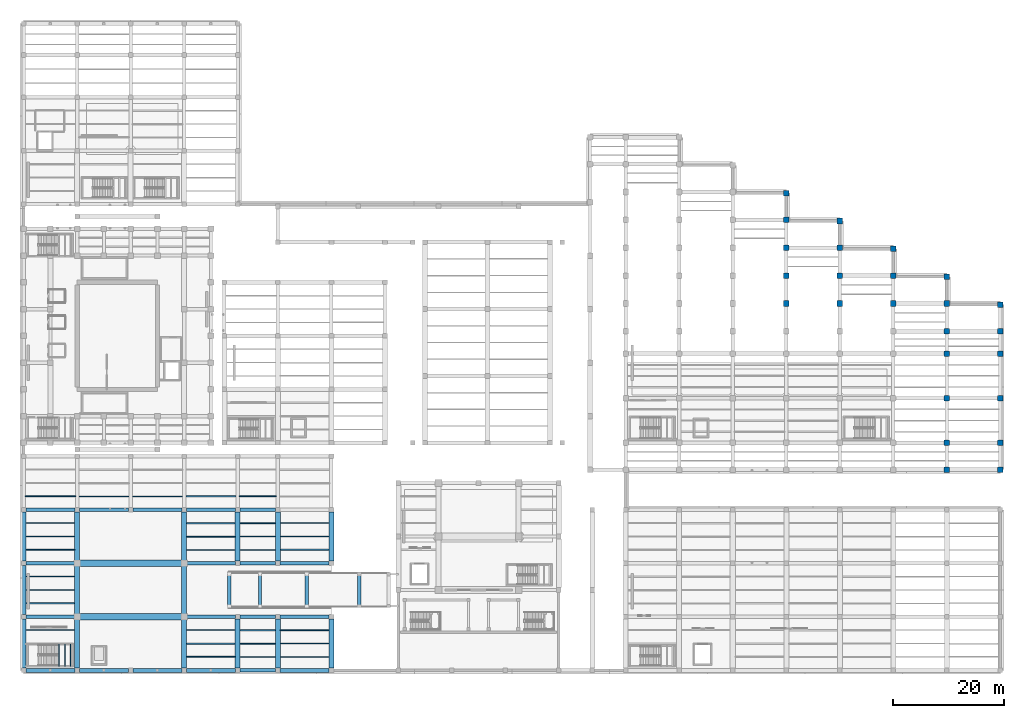
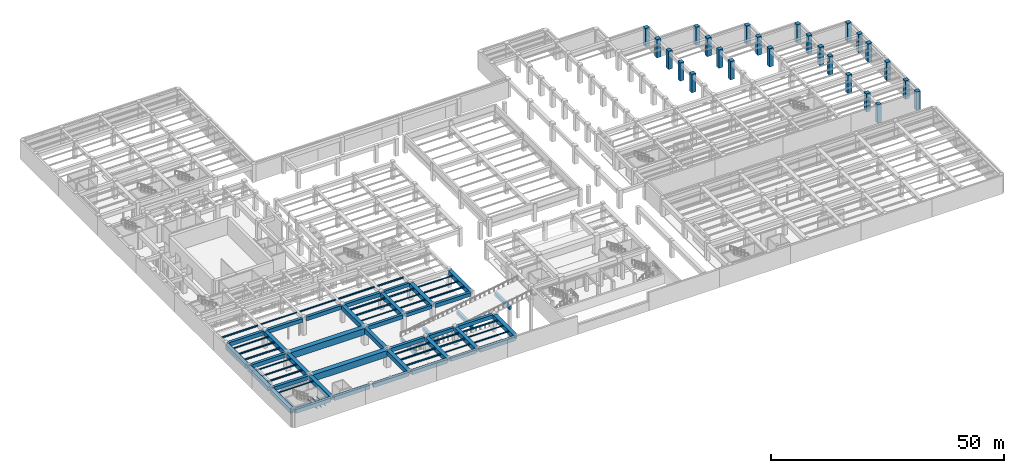
# One storey, part 14 of 45: 73 beams, 25 columns.
"""IFC4 building model written with IfcOpenShell, lengths in metres."""

from ifc_helpers import new_model, si_unit, direction, frame, origin, origin_2d, place, context, subcontext, project, spatial, rectangle, i_section, extrude, material, material_profile, profile_set, type_object, element, save


model = new_model("IFC4")

# Units and contexts
model_context = context("Model", 3, precision=1e-05, world=origin(), true_north=direction((0.0, 1.0)))
body_context = subcontext(model_context, "Body", "Model", "MODEL_VIEW")
ifc_project = project(units=[si_unit("LENGTHUNIT", "METRE"), si_unit("AREAUNIT", "SQUARE_METRE"), si_unit("VOLUMEUNIT", "CUBIC_METRE"), si_unit("PLANEANGLEUNIT", "RADIAN"), si_unit("MASSUNIT", "GRAM", prefix="KILO")], contexts=[model_context])

# Site, building, storey
site_placement = place(None, origin())
site = spatial("IfcSite", under=ifc_project, at=site_placement, CompositionType="ELEMENT")
building_placement = place(site_placement, origin())
building = spatial("IfcBuilding", under=site, at=building_placement, Name="Mavantir Sound Aquarium", CompositionType="ELEMENT")
storey_placement = place(building_placement, frame((0.0, 0.0, -4.800048828125)))
storey = spatial("IfcBuildingStorey", under=building, at=storey_placement, Name="B1", CompositionType="ELEMENT", Elevation=-4.800048828125)

# Columns
ifc_material_1 = material(Name="Concrete C40/50", Category="concrete")
ifc_material_profile_1 = material_profile(ifc_material_1, rectangle(XDim=1.0, YDim=1.0, at=origin_2d()), Name="RC 1000X1000")
ifc_profile_set_1 = profile_set([ifc_material_profile_1], Name="Concrete C40/50")
column_type_1 = type_object("IfcColumnType", Name="COL-RC1000-E", PredefinedType="COLUMN", material=ifc_profile_set_1)
for number, where, z_axis, x_axis, name in (
    (1, (175.199951171875, 36.0, 0.0), (0.0, 0.0, 1.0), (1.0, 0.0, 0.0), "B1 column RC-C10 (V4)"),
    (2, (175.199951171875, 40.800048828125, 0.0), (0.0, 0.0, 1.0), (1.0, 0.0, 0.0), "B1 column RC-C10 (V4)"),
    (3, (175.199951171875, 48.800048828125, 0.0), (0.0, 0.0, 1.0), (1.0, 0.0, 0.0), "B1 column RC-C10 (V4)"),
    (4, (175.199951171875, 56.800048828125, 0.0), (0.0, 0.0, 1.0), (1.0, 0.0, 0.0), "B1 column RC-C10 (V4)"),
    (5, (175.199951171875, 60.800048828125, 0.0), (0.0, 0.0, 1.0), (1.0, 0.0, 0.0), "B1 column RC-C10 (V4)"),
    (6, (175.199951171875, 65.60009765625, 0.0), (0.0, 0.0, 1.0), (1.0, 0.0, 0.0), "B1 column RC-C10 (V4)"),
):
    element("IfcColumn", number, at=place(storey_placement, frame(where, z_axis=z_axis, x_axis=x_axis)), inside=storey, type_object=column_type_1, Name=name, PredefinedType="COLUMN", context=body_context, shape_type="SweptSolid", body=[
        extrude(rectangle(XDim=1.0, YDim=1.0, at=origin_2d()), origin(), (0.0, 0.0, 1.0), 4.800048828125),
    ])
ifc_material_profile_2 = material_profile(ifc_material_1, rectangle(XDim=1.0, YDim=1.0, at=origin_2d()), Name="RC 1000X1000")
ifc_profile_set_2 = profile_set([ifc_material_profile_2], Name="Concrete C40/50")
column_type_2 = type_object("IfcColumnType", Name="COL-RC1000-I", PredefinedType="COLUMN", material=ifc_profile_set_2)
for number, where, z_axis, x_axis, name in (
    (7, (136.800048828125, 65.800048828125, 0.0), (0.0, 0.0, 1.0), (1.0, 0.0, 0.0), "B1 column RC-C10 (V4)"),
    (8, (136.800048828125, 70.800048828125, 0.0), (0.0, 0.0, 1.0), (1.0, 0.0, 0.0), "B1 column RC-C10 (V4)"),
    (9, (136.800048828125, 75.800048828125, 0.0), (0.0, 0.0, 1.0), (1.0, 0.0, 0.0), "B1 column RC-C10 (V4)"),
    (10, (136.800048828125, 80.800048828125, 0.0), (0.0, 0.0, 1.0), (1.0, 0.0, 0.0), "B1 column RC-C10 (V4)"),
    (11, (136.800048828125, 85.60009765625, 0.0), (0.0, 0.0, 1.0), (1.0, 0.0, 0.0), "B1 column RC-C10 (V4)"),
    (12, (146.39990234375, 65.800048828125, 0.0), (0.0, 0.0, 1.0), (1.0, 0.0, 0.0), "B1 column RC-C10 (V4)"),
    (13, (146.39990234375, 70.800048828125, 0.0), (0.0, 0.0, 1.0), (1.0, 0.0, 0.0), "B1 column RC-C10 (V4)"),
    (14, (146.39990234375, 75.800048828125, 0.0), (0.0, 0.0, 1.0), (1.0, 0.0, 0.0), "B1 column RC-C10 (V4)"),
    (15, (146.39990234375, 80.60009765625, 0.0), (0.0, 0.0, 1.0), (1.0, 0.0, 0.0), "B1 column RC-C10 (V4)"),
    (16, (156.0, 65.800048828125, 0.0), (0.0, 0.0, 1.0), (1.0, 0.0, 0.0), "B1 column RC-C10 (V4)"),
    (17, (156.0, 70.800048828125, 0.0), (0.0, 0.0, 1.0), (1.0, 0.0, 0.0), "B1 column RC-C10 (V4)"),
    (18, (156.0, 75.60009765625, 0.0), (0.0, 0.0, 1.0), (1.0, 0.0, 0.0), "B1 column RC-C10 (V4)"),
    (19, (165.60009765625, 36.0, 0.0), (0.0, 0.0, 1.0), (1.0, 0.0, 0.0), "B1 column RC-C10 (V4)"),
    (20, (165.60009765625, 40.800048828125, 0.0), (0.0, 0.0, 1.0), (1.0, 0.0, 0.0), "B1 column RC-C10 (V4)"),
    (21, (165.60009765625, 48.800048828125, 0.0), (0.0, 0.0, 1.0), (1.0, 0.0, 0.0), "B1 column RC-C10 (V4)"),
    (22, (165.60009765625, 56.800048828125, 0.0), (0.0, 0.0, 1.0), (1.0, 0.0, 0.0), "B1 column RC-C10 (V4)"),
    (23, (165.60009765625, 60.800048828125, 0.0), (0.0, 0.0, 1.0), (1.0, 0.0, 0.0), "B1 column RC-C10 (V4)"),
    (24, (165.60009765625, 65.800048828125, 0.0), (0.0, 0.0, 1.0), (1.0, 0.0, 0.0), "B1 column RC-C10 (V4)"),
    (25, (165.60009765625, 70.60009765625, 0.0), (0.0, 0.0, 1.0), (1.0, 0.0, 0.0), "B1 column RC-C10 (V4)"),
):
    element("IfcColumn", number, at=place(storey_placement, frame(where, z_axis=z_axis, x_axis=x_axis)), inside=storey, type_object=column_type_2, Name=name, PredefinedType="COLUMN", context=body_context, shape_type="SweptSolid", body=[
        extrude(rectangle(XDim=1.0, YDim=1.0, at=origin_2d()), origin(), (0.0, 0.0, 1.0), 4.800048828125),
    ])

# Beams
ifc_material_profile_3 = material_profile(ifc_material_1, rectangle(XDim=0.60009765625, YDim=0.89990234375, at=origin_2d()), Name="RC 600X900")
ifc_profile_set_3 = profile_set([ifc_material_profile_3], Name="Concrete C40/50")
beam_type_1 = type_object("IfcBeamType", Name="BM-RC600X900-E", PredefinedType="BEAM", material=ifc_profile_set_3)
beam_1_placement = place(storey_placement, frame((38.824951171875, 0.0, 4.046142578125), z_axis=(1.0, 0.0, 0.0), x_axis=(0.0, 1.0, 0.0)))
element("IfcBeam", 26, at=beam_1_placement, inside=storey, type_object=beam_type_1, Name="B1 primary beam RCB-09 539", PredefinedType="BEAM", context=body_context, shape_type="SweptSolid", body=[
    extrude(rectangle(XDim=0.60009765625, YDim=0.89990234375, at=origin_2d()), origin(), (0.0, 0.0, 1.0), 6.35009765625),
])
ifc_material_profile_4 = material_profile(ifc_material_1, rectangle(XDim=0.60009765625, YDim=0.89990234375, at=origin_2d()), Name="RC 600X900")
ifc_profile_set_4 = profile_set([ifc_material_profile_4], Name="Concrete C40/50")
beam_type_2 = type_object("IfcBeamType", Name="BM-RC600X900-I", PredefinedType="BEAM", material=ifc_profile_set_4)
for number, where, z_axis, x_axis, name in (
    (27, (38.824951171875, 9.60009765625, 4.046142578125), (1.0, 0.0, 0.0), (0.0, 1.0, 0.0), "B1 primary beam RCB-09 543"),
    (28, (38.824951171875, 19.199951171875, 4.046142578125), (1.0, 0.0, 0.0), (0.0, 1.0, 0.0), "B1 primary beam RCB-09 547"),
    (29, (38.824951171875, 28.800048828125, 4.046142578125), (1.0, 0.0, 0.0), (0.0, 1.0, 0.0), "B1 primary beam RCB-09 553"),
):
    element("IfcBeam", number, at=place(storey_placement, frame(where, z_axis=z_axis, x_axis=x_axis)), inside=storey, type_object=beam_type_2, Name=name, PredefinedType="BEAM", context=body_context, shape_type="SweptSolid", body=[
        extrude(rectangle(XDim=0.60009765625, YDim=0.89990234375, at=origin_2d()), origin(), (0.0, 0.0, 1.0), 6.35009765625),
    ])
for number, where, z_axis, x_axis, name in (
    (30, (42.39990234375, 11.300048828125, 0.19091796875), (0.0, 1.0, 0.0), (-1.0, 0.0, 0.0), "Vehicle ramp support beam 1"),
    (31, (50.800048828125, 11.300048828125, 1.591064453125), (0.0, 1.0, 0.0), (-1.0, 0.0, 0.0), "Vehicle ramp support beam 2"),
    (32, (60.199951171875, 11.300048828125, 3.157470703125), (0.0, 1.0, 0.0), (-1.0, 0.0, 0.0), "Vehicle ramp support beam 3"),
    (33, (36.89990234375, 11.300048828125, -0.725830078125), (0.0, 1.0, 0.0), (-1.0, 0.0, 0.0), "Vehicle ramp support beam 5"),
):
    element("IfcBeam", number, at=place(storey_placement, frame(where, z_axis=z_axis, x_axis=x_axis)), inside=storey, type_object=beam_type_2, Name=name, PredefinedType="BEAM", context=body_context, shape_type="SweptSolid", body=[
        extrude(rectangle(XDim=0.60009765625, YDim=0.89990234375, at=origin_2d()), origin(), (0.0, 0.0, 1.0), 6.199951171875),
    ])
ifc_material_profile_5 = material_profile(ifc_material_1, rectangle(XDim=0.699951171875, YDim=1.0, at=origin_2d()), Name="RC 700X1000")
ifc_profile_set_5 = profile_set([ifc_material_profile_5], Name="Concrete C40/50")
beam_type_3 = type_object("IfcBeamType", Name="BM-RC700X1000-E", PredefinedType="BEAM", material=ifc_profile_set_5)
for number, where, z_axis, x_axis, name in (
    (34, (0.425048828125, 0.0, 3.99609375), (1.0, 0.0, 0.0), (0.0, 1.0, 0.0), "B1 primary beam RCB-10 535"),
    (35, (10.02490234375, 0.0, 3.99609375), (1.0, 0.0, 0.0), (0.0, 1.0, 0.0), "B1 primary beam RCB-10 536"),
    (36, (19.625, 0.0, 3.99609375), (1.0, 0.0, 0.0), (0.0, 1.0, 0.0), "B1 primary beam RCB-10 537"),
    (37, (29.22509765625, 0.0, 3.99609375), (1.0, 0.0, 0.0), (0.0, 1.0, 0.0), "B1 primary beam RCB-10 538"),
    (38, (46.02490234375, 0.0, 3.99609375), (1.0, 0.0, 0.0), (0.0, 1.0, 0.0), "B1 primary beam RCB-10 540"),
):
    element("IfcBeam", number, at=place(storey_placement, frame(where, z_axis=z_axis, x_axis=x_axis)), inside=storey, type_object=beam_type_3, Name=name, PredefinedType="BEAM", context=body_context, shape_type="SweptSolid", body=[
        extrude(rectangle(XDim=0.699951171875, YDim=1.0, at=origin_2d()), origin(), (0.0, 0.0, 1.0), 8.75),
    ])
ifc_material_profile_6 = material_profile(ifc_material_1, rectangle(XDim=0.699951171875, YDim=1.0, at=origin_2d()), Name="RC 700X1000")
ifc_profile_set_6 = profile_set([ifc_material_profile_6], Name="Concrete C40/50")
beam_type_4 = type_object("IfcBeamType", Name="BM-RC700X1000-I", PredefinedType="BEAM", material=ifc_profile_set_6)
beam_2_placement = place(storey_placement, frame((0.425048828125, 9.60009765625, 3.99609375), z_axis=(1.0, 0.0, 0.0), x_axis=(0.0, 1.0, 0.0)))
element("IfcBeam", 39, at=beam_2_placement, inside=storey, type_object=beam_type_4, Name="B1 primary beam RCB-10 541", PredefinedType="BEAM", context=body_context, shape_type="SweptSolid", body=[
    extrude(rectangle(XDim=0.699951171875, YDim=1.0, at=origin_2d()), origin(), (0.0, 0.0, 1.0), 8.724853515625),
])
beam_3_placement = place(storey_placement, frame((29.25, 9.60009765625, 3.99609375), z_axis=(1.0, 0.0, 0.0), x_axis=(0.0, 1.0, 0.0)))
element("IfcBeam", 40, at=beam_3_placement, inside=storey, type_object=beam_type_4, Name="B1 primary beam RCB-10 542", PredefinedType="BEAM", context=body_context, shape_type="SweptSolid", body=[
    extrude(rectangle(XDim=0.699951171875, YDim=1.0, at=origin_2d()), origin(), (0.0, 0.0, 1.0), 8.72509765625),
])
beam_4_placement = place(storey_placement, frame((46.02490234375, 9.60009765625, 3.99609375), z_axis=(1.0, 0.0, 0.0), x_axis=(0.0, 1.0, 0.0)))
element("IfcBeam", 41, at=beam_4_placement, inside=storey, type_object=beam_type_4, Name="B1 primary beam RCB-10 544", PredefinedType="BEAM", context=body_context, shape_type="SweptSolid", body=[
    extrude(rectangle(XDim=0.699951171875, YDim=1.0, at=origin_2d()), origin(), (0.0, 0.0, 1.0), 8.75),
])
beam_5_placement = place(storey_placement, frame((0.425048828125, 19.199951171875, 3.99609375), z_axis=(1.0, 0.0, 0.0), x_axis=(0.0, 1.0, 0.0)))
element("IfcBeam", 42, at=beam_5_placement, inside=storey, type_object=beam_type_4, Name="B1 primary beam RCB-10 545", PredefinedType="BEAM", context=body_context, shape_type="SweptSolid", body=[
    extrude(rectangle(XDim=0.699951171875, YDim=1.0, at=origin_2d()), origin(), (0.0, 0.0, 1.0), 8.724853515625),
])
beam_6_placement = place(storey_placement, frame((29.25, 19.199951171875, 3.99609375), z_axis=(1.0, 0.0, 0.0), x_axis=(0.0, 1.0, 0.0)))
element("IfcBeam", 43, at=beam_6_placement, inside=storey, type_object=beam_type_4, Name="B1 primary beam RCB-10 546", PredefinedType="BEAM", context=body_context, shape_type="SweptSolid", body=[
    extrude(rectangle(XDim=0.699951171875, YDim=1.0, at=origin_2d()), origin(), (0.0, 0.0, 1.0), 8.72509765625),
])
for number, where, z_axis, x_axis, name in (
    (44, (46.02490234375, 19.199951171875, 3.99609375), (1.0, 0.0, 0.0), (0.0, 1.0, 0.0), "B1 primary beam RCB-10 548"),
    (45, (0.425048828125, 28.800048828125, 3.99609375), (1.0, 0.0, 0.0), (0.0, 1.0, 0.0), "B1 primary beam RCB-10 549"),
    (46, (10.02490234375, 28.800048828125, 3.99609375), (1.0, 0.0, 0.0), (0.0, 1.0, 0.0), "B1 primary beam RCB-10 550"),
    (47, (19.625, 28.800048828125, 3.99609375), (1.0, 0.0, 0.0), (0.0, 1.0, 0.0), "B1 primary beam RCB-10 551"),
    (48, (29.22509765625, 28.800048828125, 3.99609375), (1.0, 0.0, 0.0), (0.0, 1.0, 0.0), "B1 primary beam RCB-10 552"),
):
    element("IfcBeam", number, at=place(storey_placement, frame(where, z_axis=z_axis, x_axis=x_axis)), inside=storey, type_object=beam_type_4, Name=name, PredefinedType="BEAM", context=body_context, shape_type="SweptSolid", body=[
        extrude(rectangle(XDim=0.699951171875, YDim=1.0, at=origin_2d()), origin(), (0.0, 0.0, 1.0), 8.75),
    ])
ifc_material_profile_7 = material_profile(ifc_material_1, rectangle(XDim=0.89990234375, YDim=1.199951171875, at=origin_2d()), Name="RC 900X1200")
ifc_profile_set_7 = profile_set([ifc_material_profile_7], Name="Concrete C40/50")
beam_type_5 = type_object("IfcBeamType", Name="BM-RC900X1200-E", PredefinedType="BEAM", material=ifc_profile_set_7)
for number, where, z_axis, x_axis, name in (
    (49, (0.0, 0.425048828125, 3.89599609375), (0.0, 1.0, 0.0), (-1.0, 0.0, 0.0), "B1 primary girder RCB-12 561"),
    (50, (0.0, 10.02490234375, 3.89599609375), (0.0, 1.0, 0.0), (-1.0, 0.0, 0.0), "B1 primary girder RCB-12 562"),
    (51, (0.0, 19.625, 3.89599609375), (0.0, 1.0, 0.0), (-1.0, 0.0, 0.0), "B1 primary girder RCB-12 563"),
    (52, (55.199951171875, 0.425048828125, 3.89599609375), (0.0, 1.0, 0.0), (-1.0, 0.0, 0.0), "B1 primary girder RCB-12 580"),
    (53, (55.199951171875, 19.625, 3.89599609375), (0.0, 1.0, 0.0), (-1.0, 0.0, 0.0), "B1 primary girder RCB-12 581"),
):
    element("IfcBeam", number, at=place(storey_placement, frame(where, z_axis=z_axis, x_axis=x_axis)), inside=storey, type_object=beam_type_5, Name=name, PredefinedType="BEAM", context=body_context, shape_type="SweptSolid", body=[
        extrude(rectangle(XDim=0.89990234375, YDim=1.199951171875, at=origin_2d()), origin(), (0.0, 0.0, 1.0), 8.75),
    ])
ifc_material_profile_8 = material_profile(ifc_material_1, rectangle(XDim=0.89990234375, YDim=1.199951171875, at=origin_2d()), Name="RC 900X1200")
ifc_profile_set_8 = profile_set([ifc_material_profile_8], Name="Concrete C40/50")
beam_type_6 = type_object("IfcBeamType", Name="BM-RC900X1200-I", PredefinedType="BEAM", material=ifc_profile_set_8)
beam_7_placement = place(storey_placement, frame((9.60009765625, 0.425048828125, 3.89599609375), z_axis=(0.0, 1.0, 0.0), x_axis=(-1.0, 0.0, 0.0)))
element("IfcBeam", 54, at=beam_7_placement, inside=storey, type_object=beam_type_6, Name="B1 primary girder RCB-12 565", PredefinedType="BEAM", context=body_context, shape_type="SweptSolid", body=[
    extrude(rectangle(XDim=0.89990234375, YDim=1.199951171875, at=origin_2d()), origin(), (0.0, 0.0, 1.0), 8.724853515625),
])
beam_8_placement = place(storey_placement, frame((9.60009765625, 10.050048828125, 3.89599609375), z_axis=(0.0, 1.0, 0.0), x_axis=(-1.0, 0.0, 0.0)))
element("IfcBeam", 55, at=beam_8_placement, inside=storey, type_object=beam_type_6, Name="B1 primary girder RCB-12 566", PredefinedType="BEAM", context=body_context, shape_type="SweptSolid", body=[
    extrude(rectangle(XDim=0.89990234375, YDim=1.199951171875, at=origin_2d()), origin(), (0.0, 0.0, 1.0), 8.699951171875),
])
beam_9_placement = place(storey_placement, frame((9.60009765625, 19.64990234375, 3.89599609375), z_axis=(0.0, 1.0, 0.0), x_axis=(-1.0, 0.0, 0.0)))
element("IfcBeam", 56, at=beam_9_placement, inside=storey, type_object=beam_type_6, Name="B1 primary girder RCB-12 567", PredefinedType="BEAM", context=body_context, shape_type="SweptSolid", body=[
    extrude(rectangle(XDim=0.89990234375, YDim=1.199951171875, at=origin_2d()), origin(), (0.0, 0.0, 1.0), 8.72509765625),
])
beam_10_placement = place(storey_placement, frame((28.800048828125, 0.425048828125, 3.89599609375), z_axis=(0.0, 1.0, 0.0), x_axis=(-1.0, 0.0, 0.0)))
element("IfcBeam", 57, at=beam_10_placement, inside=storey, type_object=beam_type_6, Name="B1 primary girder RCB-12 570", PredefinedType="BEAM", context=body_context, shape_type="SweptSolid", body=[
    extrude(rectangle(XDim=0.89990234375, YDim=1.199951171875, at=origin_2d()), origin(), (0.0, 0.0, 1.0), 8.724853515625),
])
beam_11_placement = place(storey_placement, frame((28.800048828125, 10.050048828125, 3.89599609375), z_axis=(0.0, 1.0, 0.0), x_axis=(-1.0, 0.0, 0.0)))
element("IfcBeam", 58, at=beam_11_placement, inside=storey, type_object=beam_type_6, Name="B1 primary girder RCB-12 571", PredefinedType="BEAM", context=body_context, shape_type="SweptSolid", body=[
    extrude(rectangle(XDim=0.89990234375, YDim=1.199951171875, at=origin_2d()), origin(), (0.0, 0.0, 1.0), 8.699951171875),
])
beam_12_placement = place(storey_placement, frame((28.800048828125, 19.64990234375, 3.89599609375), z_axis=(0.0, 1.0, 0.0), x_axis=(-1.0, 0.0, 0.0)))
element("IfcBeam", 59, at=beam_12_placement, inside=storey, type_object=beam_type_6, Name="B1 primary girder RCB-12 572", PredefinedType="BEAM", context=body_context, shape_type="SweptSolid", body=[
    extrude(rectangle(XDim=0.89990234375, YDim=1.199951171875, at=origin_2d()), origin(), (0.0, 0.0, 1.0), 8.72509765625),
])
for number, where, z_axis, x_axis, name in (
    (60, (38.39990234375, 0.425048828125, 3.89599609375), (0.0, 1.0, 0.0), (-1.0, 0.0, 0.0), "B1 primary girder RCB-12 574"),
    (61, (38.39990234375, 19.625, 3.89599609375), (0.0, 1.0, 0.0), (-1.0, 0.0, 0.0), "B1 primary girder RCB-12 575"),
    (62, (45.60009765625, 0.425048828125, 3.89599609375), (0.0, 1.0, 0.0), (-1.0, 0.0, 0.0), "B1 primary girder RCB-12 577"),
    (63, (45.60009765625, 19.625, 3.89599609375), (0.0, 1.0, 0.0), (-1.0, 0.0, 0.0), "B1 primary girder RCB-12 578"),
):
    element("IfcBeam", number, at=place(storey_placement, frame(where, z_axis=z_axis, x_axis=x_axis)), inside=storey, type_object=beam_type_6, Name=name, PredefinedType="BEAM", context=body_context, shape_type="SweptSolid", body=[
        extrude(rectangle(XDim=0.89990234375, YDim=1.199951171875, at=origin_2d()), origin(), (0.0, 0.0, 1.0), 8.75),
    ])
ifc_material_profile_9 = material_profile(ifc_material_1, rectangle(XDim=1.199951171875, YDim=1.699951171875, at=origin_2d()), Name="RC 1200X1700")
ifc_profile_set_9 = profile_set([ifc_material_profile_9], Name="Concrete C40/50")
beam_type_7 = type_object("IfcBeamType", Name="BM-TG1700-I", PredefinedType="USERDEFINED", material=ifc_profile_set_9)
for number, where, z_axis, x_axis, name in (
    (64, (9.85009765625, 9.60009765625, 3.650146484375), (1.0, 0.0, 0.0), (0.0, 1.0, 0.0), "Transfer girder TG-1"),
    (65, (9.85009765625, 19.199951171875, 3.650146484375), (1.0, 0.0, 0.0), (0.0, 1.0, 0.0), "Transfer girder TG-2"),
):
    element("IfcBeam", number, at=place(storey_placement, frame(where, z_axis=z_axis, x_axis=x_axis)), inside=storey, type_object=beam_type_7, Name=name, ObjectType="TRANSFER GIRDER", PredefinedType="USERDEFINED", context=body_context, shape_type="SweptSolid", body=[
        extrude(rectangle(XDim=1.199951171875, YDim=1.699951171875, at=origin_2d()), origin(), (0.0, 0.0, 1.0), 18.699951171875),
    ])
ifc_material_2 = material(Name="Structural Steel ASTM A992 Gr50", Category="steel")
ifc_material_profile_10 = material_profile(ifc_material_2, i_section(OverallWidth=0.202880859375, OverallDepth=0.202880859375, WebThickness=0.007080078125, FlangeThickness=0.010986328125, FilletRadius=0.010009765625, at=origin_2d()), Name="W200X46")
ifc_profile_set_10 = profile_set([ifc_material_profile_10], Name="Structural Steel ASTM A992 Gr50")
beam_type_8 = type_object("IfcBeamType", Name="BM-W200X46-I", PredefinedType="LINTEL", material=ifc_profile_set_10)
for number, where, z_axis, x_axis, name in (
    (66, (6.35009765625, 0.72509765625, 2.095458984375), (0.0, 1.0, 0.0), (-1.0, 0.0, 0.0), "Stair ST3 landing support beam 40"),
    (67, (7.389892578125, 0.72509765625, 2.095458984375), (0.0, 1.0, 0.0), (-1.0, 0.0, 0.0), "Stair ST3 landing support beam 41"),
    (68, (8.429931640625, 0.72509765625, 2.095458984375), (0.0, 1.0, 0.0), (-1.0, 0.0, 0.0), "Stair ST3 landing support beam 42"),
):
    element("IfcBeam", number, at=place(storey_placement, frame(where, z_axis=z_axis, x_axis=x_axis)), inside=storey, type_object=beam_type_8, Name=name, PredefinedType="LINTEL", context=body_context, shape_type="SweptSolid", body=[
        extrude(i_section(OverallWidth=0.202880859375, OverallDepth=0.202880859375, WebThickness=0.007080078125, FlangeThickness=0.010986328125, FilletRadius=0.010009765625, at=origin_2d()), origin(), (0.0, 0.0, 1.0), 4.0),
    ])
ifc_material_profile_11 = material_profile(ifc_material_2, i_section(OverallWidth=0.202880859375, OverallDepth=0.251953125, WebThickness=0.008056640625, FlangeThickness=0.013427734375, FilletRadius=0.011962890625, at=origin_2d()), Name="W250X58")
ifc_profile_set_11 = profile_set([ifc_material_profile_11], Name="Structural Steel ASTM A992 Gr50")
beam_type_9 = type_object("IfcBeamType", Name="BM-W250X58-I", PredefinedType="JOIST", material=ifc_profile_set_11)
beam_13_placement = place(storey_placement, frame((0.449951171875, 7.199951171875, 4.3701171875), z_axis=(1.0, 0.0, 0.0), x_axis=(0.0, 1.0, 0.0)))
element("IfcBeam", 69, at=beam_13_placement, inside=storey, type_object=beam_type_9, Name="B1 secondary floor joist SJ-25 224", PredefinedType="JOIST", context=body_context, shape_type="SweptSolid", body=[
    extrude(i_section(OverallWidth=0.202880859375, OverallDepth=0.251953125, WebThickness=0.008056640625, FlangeThickness=0.013427734375, FilletRadius=0.011962890625, at=origin_2d()), origin(), (0.0, 0.0, 1.0), 8.699951171875),
])
beam_14_placement = place(storey_placement, frame((38.85009765625, 2.39990234375, 4.3701171875), z_axis=(1.0, 0.0, 0.0), x_axis=(0.0, 1.0, 0.0)))
element("IfcBeam", 70, at=beam_14_placement, inside=storey, type_object=beam_type_9, Name="B1 secondary floor joist SJ-25 228", PredefinedType="JOIST", context=body_context, shape_type="SweptSolid", body=[
    extrude(i_section(OverallWidth=0.202880859375, OverallDepth=0.251953125, WebThickness=0.008056640625, FlangeThickness=0.013427734375, FilletRadius=0.011962890625, at=origin_2d()), origin(), (0.0, 0.0, 1.0), 6.2998046875),
])
for number, where, z_axis, x_axis, name in (
    (71, (46.050048828125, 4.800048828125, 4.3701171875), (1.0, 0.0, 0.0), (0.0, 1.0, 0.0), "B1 secondary floor joist SJ-25 232"),
    (72, (0.449951171875, 16.800048828125, 4.3701171875), (1.0, 0.0, 0.0), (0.0, 1.0, 0.0), "B1 secondary floor joist SJ-25 236"),
    (73, (29.25, 21.60009765625, 4.3701171875), (1.0, 0.0, 0.0), (0.0, 1.0, 0.0), "B1 secondary floor joist SJ-25 240"),
):
    element("IfcBeam", number, at=place(storey_placement, frame(where, z_axis=z_axis, x_axis=x_axis)), inside=storey, type_object=beam_type_9, Name=name, PredefinedType="JOIST", context=body_context, shape_type="SweptSolid", body=[
        extrude(i_section(OverallWidth=0.202880859375, OverallDepth=0.251953125, WebThickness=0.008056640625, FlangeThickness=0.013427734375, FilletRadius=0.011962890625, at=origin_2d()), origin(), (0.0, 0.0, 1.0), 8.699951171875),
    ])
beam_15_placement = place(storey_placement, frame((38.85009765625, 24.0, 4.3701171875), z_axis=(1.0, 0.0, 0.0), x_axis=(0.0, 1.0, 0.0)))
element("IfcBeam", 74, at=beam_15_placement, inside=storey, type_object=beam_type_9, Name="B1 secondary floor joist SJ-25 244", PredefinedType="JOIST", context=body_context, shape_type="SweptSolid", body=[
    extrude(i_section(OverallWidth=0.202880859375, OverallDepth=0.251953125, WebThickness=0.008056640625, FlangeThickness=0.013427734375, FilletRadius=0.011962890625, at=origin_2d()), origin(), (0.0, 0.0, 1.0), 6.2998046875),
])
beam_16_placement = place(storey_placement, frame((46.050048828125, 26.39990234375, 4.3701171875), z_axis=(1.0, 0.0, 0.0), x_axis=(0.0, 1.0, 0.0)))
element("IfcBeam", 75, at=beam_16_placement, inside=storey, type_object=beam_type_9, Name="B1 secondary floor joist SJ-25 248", PredefinedType="JOIST", context=body_context, shape_type="SweptSolid", body=[
    extrude(i_section(OverallWidth=0.202880859375, OverallDepth=0.251953125, WebThickness=0.008056640625, FlangeThickness=0.013427734375, FilletRadius=0.011962890625, at=origin_2d()), origin(), (0.0, 0.0, 1.0), 8.699951171875),
])
beam_17_placement = place(storey_placement, frame((9.89990234375, 31.199951171875, 4.3701171875), z_axis=(1.0, 0.0, 0.0), x_axis=(0.0, 1.0, 0.0)))
element("IfcBeam", 76, at=beam_17_placement, inside=storey, type_object=beam_type_9, Name="B1 secondary floor joist SJ-25 252", PredefinedType="JOIST", context=body_context, shape_type="SweptSolid", body=[
    extrude(i_section(OverallWidth=0.202880859375, OverallDepth=0.251953125, WebThickness=0.008056640625, FlangeThickness=0.013427734375, FilletRadius=0.011962890625, at=origin_2d()), origin(), (0.0, 0.0, 1.0), 9.0),
])
ifc_material_profile_12 = material_profile(ifc_material_2, i_section(OverallWidth=0.205078125, OverallDepth=0.31005859375, WebThickness=0.009521484375, FlangeThickness=0.016357421875, FilletRadius=0.012939453125, at=origin_2d()), Name="W310X74")
ifc_profile_set_12 = profile_set([ifc_material_profile_12], Name="Structural Steel ASTM A992 Gr50")
beam_type_10 = type_object("IfcBeamType", Name="BM-W310X74-I", PredefinedType="JOIST", material=ifc_profile_set_12)
for number, where, z_axis, x_axis, name in (
    (77, (29.25, 7.199951171875, 4.341064453125), (1.0, 0.0, 0.0), (0.0, 1.0, 0.0), "B1 secondary floor joist SJ-31 227"),
    (78, (46.050048828125, 2.39990234375, 4.341064453125), (1.0, 0.0, 0.0), (0.0, 1.0, 0.0), "B1 secondary floor joist SJ-31 231"),
    (79, (0.449951171875, 14.39990234375, 4.341064453125), (1.0, 0.0, 0.0), (0.0, 1.0, 0.0), "B1 secondary floor joist SJ-31 235"),
    (80, (0.449951171875, 26.39990234375, 4.341064453125), (1.0, 0.0, 0.0), (0.0, 1.0, 0.0), "B1 secondary floor joist SJ-31 239"),
):
    element("IfcBeam", number, at=place(storey_placement, frame(where, z_axis=z_axis, x_axis=x_axis)), inside=storey, type_object=beam_type_10, Name=name, PredefinedType="JOIST", context=body_context, shape_type="SweptSolid", body=[
        extrude(i_section(OverallWidth=0.205078125, OverallDepth=0.31005859375, WebThickness=0.009521484375, FlangeThickness=0.016357421875, FilletRadius=0.012939453125, at=origin_2d()), origin(), (0.0, 0.0, 1.0), 8.699951171875),
    ])
beam_18_placement = place(storey_placement, frame((38.85009765625, 21.60009765625, 4.341064453125), z_axis=(1.0, 0.0, 0.0), x_axis=(0.0, 1.0, 0.0)))
element("IfcBeam", 81, at=beam_18_placement, inside=storey, type_object=beam_type_10, Name="B1 secondary floor joist SJ-31 243", PredefinedType="JOIST", context=body_context, shape_type="SweptSolid", body=[
    extrude(i_section(OverallWidth=0.205078125, OverallDepth=0.31005859375, WebThickness=0.009521484375, FlangeThickness=0.016357421875, FilletRadius=0.012939453125, at=origin_2d()), origin(), (0.0, 0.0, 1.0), 6.2998046875),
])
beam_19_placement = place(storey_placement, frame((46.050048828125, 24.0, 4.341064453125), z_axis=(1.0, 0.0, 0.0), x_axis=(0.0, 1.0, 0.0)))
element("IfcBeam", 82, at=beam_19_placement, inside=storey, type_object=beam_type_10, Name="B1 secondary floor joist SJ-31 247", PredefinedType="JOIST", context=body_context, shape_type="SweptSolid", body=[
    extrude(i_section(OverallWidth=0.205078125, OverallDepth=0.31005859375, WebThickness=0.009521484375, FlangeThickness=0.016357421875, FilletRadius=0.012939453125, at=origin_2d()), origin(), (0.0, 0.0, 1.0), 8.699951171875),
])
beam_20_placement = place(storey_placement, frame((19.5, 31.199951171875, 4.341064453125), z_axis=(1.0, 0.0, 0.0), x_axis=(0.0, 1.0, 0.0)))
element("IfcBeam", 83, at=beam_20_placement, inside=storey, type_object=beam_type_10, Name="B1 secondary floor joist SJ-31 255", PredefinedType="JOIST", context=body_context, shape_type="SweptSolid", body=[
    extrude(i_section(OverallWidth=0.205078125, OverallDepth=0.31005859375, WebThickness=0.009521484375, FlangeThickness=0.016357421875, FilletRadius=0.012939453125, at=origin_2d()), origin(), (0.0, 0.0, 1.0), 9.0),
])
ifc_material_profile_13 = material_profile(ifc_material_2, i_section(OverallWidth=0.25390625, OverallDepth=0.35302734375, WebThickness=0.009521484375, FlangeThickness=0.016357421875, FilletRadius=0.014892578125, at=origin_2d()), Name="W360X91")
ifc_profile_set_13 = profile_set([ifc_material_profile_13], Name="Structural Steel ASTM A992 Gr50")
beam_type_11 = type_object("IfcBeamType", Name="BM-W360X91-I", PredefinedType="JOIST", material=ifc_profile_set_13)
beam_21_placement = place(storey_placement, frame((29.25, 4.800048828125, 4.319580078125), z_axis=(1.0, 0.0, 0.0), x_axis=(0.0, 1.0, 0.0)))
element("IfcBeam", 84, at=beam_21_placement, inside=storey, type_object=beam_type_11, Name="B1 secondary floor joist SJ-36 226", PredefinedType="JOIST", context=body_context, shape_type="SweptSolid", body=[
    extrude(i_section(OverallWidth=0.25390625, OverallDepth=0.35302734375, WebThickness=0.009521484375, FlangeThickness=0.016357421875, FilletRadius=0.014892578125, at=origin_2d()), origin(), (0.0, 0.0, 1.0), 8.699951171875),
])
beam_22_placement = place(storey_placement, frame((38.85009765625, 7.199951171875, 4.319580078125), z_axis=(1.0, 0.0, 0.0), x_axis=(0.0, 1.0, 0.0)))
element("IfcBeam", 85, at=beam_22_placement, inside=storey, type_object=beam_type_11, Name="B1 secondary floor joist SJ-36 230", PredefinedType="JOIST", context=body_context, shape_type="SweptSolid", body=[
    extrude(i_section(OverallWidth=0.25390625, OverallDepth=0.35302734375, WebThickness=0.009521484375, FlangeThickness=0.016357421875, FilletRadius=0.014892578125, at=origin_2d()), origin(), (0.0, 0.0, 1.0), 6.2998046875),
])
for number, where, z_axis, x_axis, name in (
    (86, (0.449951171875, 12.0, 4.319580078125), (1.0, 0.0, 0.0), (0.0, 1.0, 0.0), "B1 secondary floor joist SJ-36 234"),
    (87, (0.449951171875, 24.0, 4.319580078125), (1.0, 0.0, 0.0), (0.0, 1.0, 0.0), "B1 secondary floor joist SJ-36 238"),
    (88, (29.25, 26.39990234375, 4.319580078125), (1.0, 0.0, 0.0), (0.0, 1.0, 0.0), "B1 secondary floor joist SJ-36 242"),
    (89, (46.050048828125, 21.60009765625, 4.319580078125), (1.0, 0.0, 0.0), (0.0, 1.0, 0.0), "B1 secondary floor joist SJ-36 246"),
):
    element("IfcBeam", number, at=place(storey_placement, frame(where, z_axis=z_axis, x_axis=x_axis)), inside=storey, type_object=beam_type_11, Name=name, PredefinedType="JOIST", context=body_context, shape_type="SweptSolid", body=[
        extrude(i_section(OverallWidth=0.25390625, OverallDepth=0.35302734375, WebThickness=0.009521484375, FlangeThickness=0.016357421875, FilletRadius=0.014892578125, at=origin_2d()), origin(), (0.0, 0.0, 1.0), 8.699951171875),
    ])
beam_23_placement = place(storey_placement, frame((29.10009765625, 31.199951171875, 4.319580078125), z_axis=(1.0, 0.0, 0.0), x_axis=(0.0, 1.0, 0.0)))
element("IfcBeam", 90, at=beam_23_placement, inside=storey, type_object=beam_type_11, Name="B1 secondary floor joist SJ-36 258", PredefinedType="JOIST", context=body_context, shape_type="SweptSolid", body=[
    extrude(i_section(OverallWidth=0.25390625, OverallDepth=0.35302734375, WebThickness=0.009521484375, FlangeThickness=0.016357421875, FilletRadius=0.014892578125, at=origin_2d()), origin(), (0.0, 0.0, 1.0), 9.0),
])
ifc_material_profile_14 = material_profile(ifc_material_2, i_section(OverallWidth=0.180908203125, OverallDepth=0.4169921875, WebThickness=0.010986328125, FlangeThickness=0.018310546875, FilletRadius=0.014892578125, at=origin_2d()), Name="W410X85")
ifc_profile_set_14 = profile_set([ifc_material_profile_14], Name="Structural Steel ASTM A992 Gr50")
beam_type_12 = type_object("IfcBeamType", Name="BM-W410X85-I", PredefinedType="JOIST", material=ifc_profile_set_14)
beam_24_placement = place(storey_placement, frame((29.25, 2.39990234375, 4.28759765625), z_axis=(1.0, 0.0, 0.0), x_axis=(0.0, 1.0, 0.0)))
element("IfcBeam", 91, at=beam_24_placement, inside=storey, type_object=beam_type_12, Name="B1 secondary floor joist SJ-41 225", PredefinedType="JOIST", context=body_context, shape_type="SweptSolid", body=[
    extrude(i_section(OverallWidth=0.180908203125, OverallDepth=0.4169921875, WebThickness=0.010986328125, FlangeThickness=0.018310546875, FilletRadius=0.014892578125, at=origin_2d()), origin(), (0.0, 0.0, 1.0), 8.699951171875),
])
beam_25_placement = place(storey_placement, frame((38.85009765625, 4.800048828125, 4.28759765625), z_axis=(1.0, 0.0, 0.0), x_axis=(0.0, 1.0, 0.0)))
element("IfcBeam", 92, at=beam_25_placement, inside=storey, type_object=beam_type_12, Name="B1 secondary floor joist SJ-41 229", PredefinedType="JOIST", context=body_context, shape_type="SweptSolid", body=[
    extrude(i_section(OverallWidth=0.180908203125, OverallDepth=0.4169921875, WebThickness=0.010986328125, FlangeThickness=0.018310546875, FilletRadius=0.014892578125, at=origin_2d()), origin(), (0.0, 0.0, 1.0), 6.2998046875),
])
for number, where, z_axis, x_axis, name in (
    (93, (46.050048828125, 7.199951171875, 4.28759765625), (1.0, 0.0, 0.0), (0.0, 1.0, 0.0), "B1 secondary floor joist SJ-41 233"),
    (94, (0.449951171875, 21.60009765625, 4.28759765625), (1.0, 0.0, 0.0), (0.0, 1.0, 0.0), "B1 secondary floor joist SJ-41 237"),
    (95, (29.25, 24.0, 4.28759765625), (1.0, 0.0, 0.0), (0.0, 1.0, 0.0), "B1 secondary floor joist SJ-41 241"),
):
    element("IfcBeam", number, at=place(storey_placement, frame(where, z_axis=z_axis, x_axis=x_axis)), inside=storey, type_object=beam_type_12, Name=name, PredefinedType="JOIST", context=body_context, shape_type="SweptSolid", body=[
        extrude(i_section(OverallWidth=0.180908203125, OverallDepth=0.4169921875, WebThickness=0.010986328125, FlangeThickness=0.018310546875, FilletRadius=0.014892578125, at=origin_2d()), origin(), (0.0, 0.0, 1.0), 8.699951171875),
    ])
beam_26_placement = place(storey_placement, frame((38.85009765625, 26.39990234375, 4.28759765625), z_axis=(1.0, 0.0, 0.0), x_axis=(0.0, 1.0, 0.0)))
element("IfcBeam", 96, at=beam_26_placement, inside=storey, type_object=beam_type_12, Name="B1 secondary floor joist SJ-41 245", PredefinedType="JOIST", context=body_context, shape_type="SweptSolid", body=[
    extrude(i_section(OverallWidth=0.180908203125, OverallDepth=0.4169921875, WebThickness=0.010986328125, FlangeThickness=0.018310546875, FilletRadius=0.014892578125, at=origin_2d()), origin(), (0.0, 0.0, 1.0), 6.2998046875),
])
beam_27_placement = place(storey_placement, frame((0.300048828125, 31.199951171875, 4.28759765625), z_axis=(1.0, 0.0, 0.0), x_axis=(0.0, 1.0, 0.0)))
element("IfcBeam", 97, at=beam_27_placement, inside=storey, type_object=beam_type_12, Name="B1 secondary floor joist SJ-41 249", PredefinedType="JOIST", context=body_context, shape_type="SweptSolid", body=[
    extrude(i_section(OverallWidth=0.180908203125, OverallDepth=0.4169921875, WebThickness=0.010986328125, FlangeThickness=0.018310546875, FilletRadius=0.014892578125, at=origin_2d()), origin(), (0.0, 0.0, 1.0), 9.0),
])
beam_28_placement = place(storey_placement, frame((38.699951171875, 31.199951171875, 4.28759765625), z_axis=(1.0, 0.0, 0.0), x_axis=(0.0, 1.0, 0.0)))
element("IfcBeam", 98, at=beam_28_placement, inside=storey, type_object=beam_type_12, Name="B1 secondary floor joist SJ-41 261", PredefinedType="JOIST", context=body_context, shape_type="SweptSolid", body=[
    extrude(i_section(OverallWidth=0.180908203125, OverallDepth=0.4169921875, WebThickness=0.010986328125, FlangeThickness=0.018310546875, FilletRadius=0.014892578125, at=origin_2d()), origin(), (0.0, 0.0, 1.0), 6.60009765625),
])

save(model, "model.ifc")
